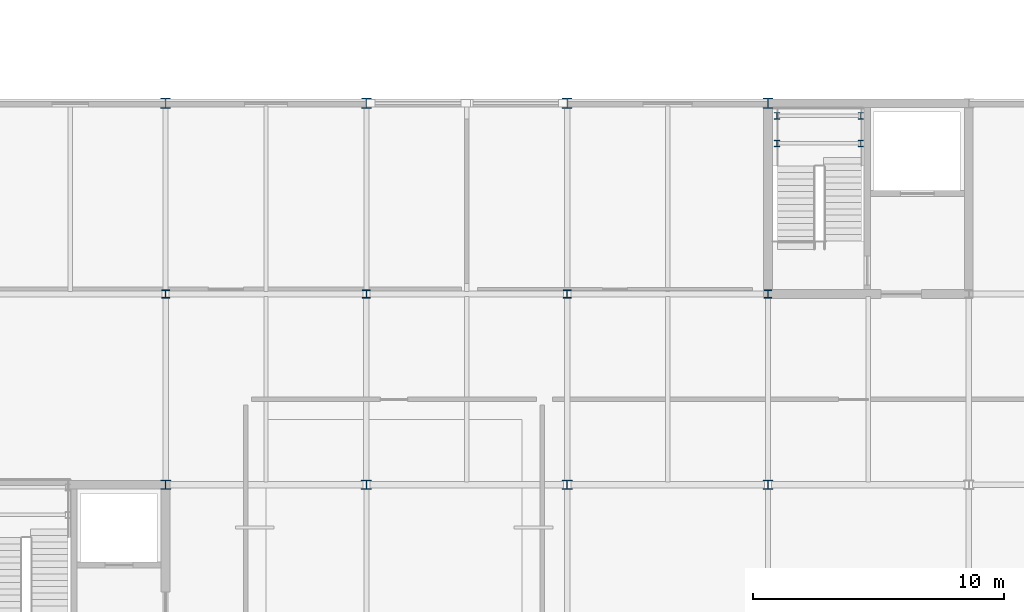
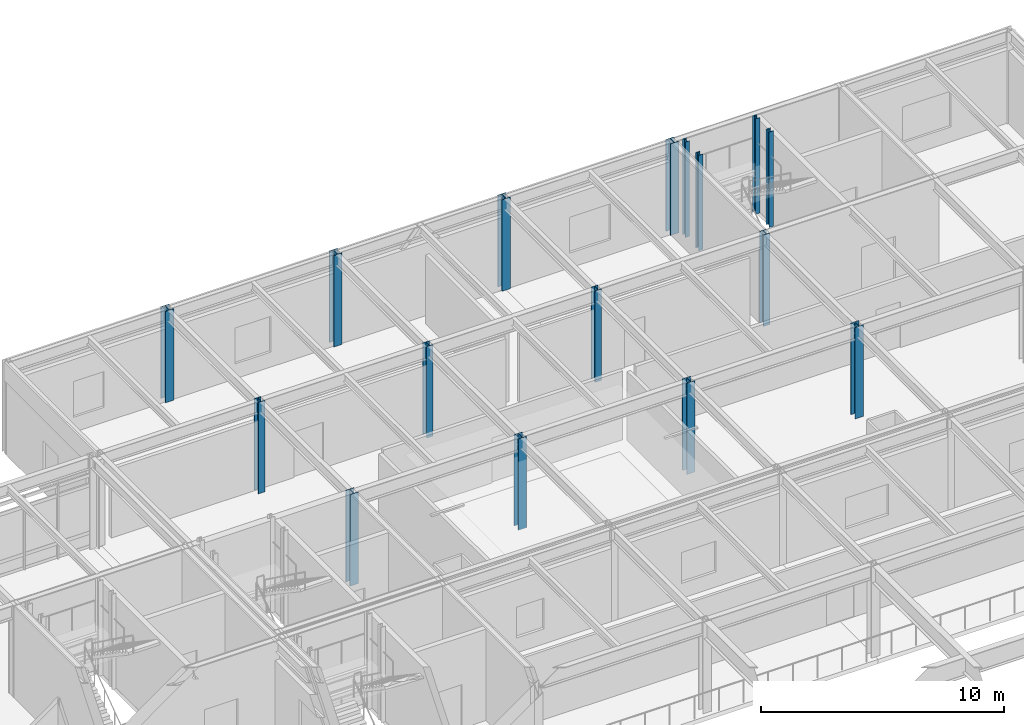
# One storey, part 19 of 104: 16 columns.
"""IFC4 building model written with IfcOpenShell, lengths in metres."""

import ifcopenshell
import ifcopenshell.guid

model = None  # the IFC model being written
_history = None  # IfcOwnerHistory: only IFC2X3 demands one
_inside = {}  # id of a spatial element -> (the spatial element, [elements in it])
_under = {}  # id of a project, library or spatial element -> (it, [spatial elements below it])
_declared = {}  # id of a project -> (the project, [libraries it declares])
_typed = {}  # id of a type object -> (the type object, [elements of that type])
_made_of = {}  # id of a material, layer set ... -> (it, [elements and type objects made of it])


def new_model(schema):
    """Start an empty IFC model of exactly this schema.

    Asked for "IFC4X3", IfcOpenShell would pick the latest addendum, in which some entities
    have other attributes; the version numbers below select the first issue.
    IFC2X3 requires an IfcOwnerHistory on every rooted entity: one is made here for all.
    """
    global model, _history
    if schema == "IFC4X3":
        model = ifcopenshell.file(schema_version=(4, 3, 0, 0))
    else:
        model = ifcopenshell.file(schema=schema)
    _inside.clear()
    _under.clear()
    _declared.clear()
    _typed.clear()
    _made_of.clear()
    _history = None
    if model.schema == "IFC2X3":
        org = make("IfcOrganization", Name="unknown")
        user = make(
            "IfcPersonAndOrganization",
            ThePerson=make("IfcPerson", FamilyName="unknown"),
            TheOrganization=org,
        )
        app = make(
            "IfcApplication",
            ApplicationDeveloper=org,
            Version="unknown",
            ApplicationFullName="unknown",
            ApplicationIdentifier="unknown",
        )
        _history = make(
            "IfcOwnerHistory",
            OwningUser=user,
            OwningApplication=app,
            ChangeAction="ADDED",
            CreationDate=0,
        )
    return model


def make(cls, **values):
    """One entity of the class cls with the attributes given. An attribute that is None is left unset."""
    return model.create_entity(
        cls, **{name: value for name, value in values.items() if value is not None}
    )


def rooted(cls, **values):
    """An entity with a GlobalId (a new one), such as an element, a storey or a relation."""
    return make(cls, GlobalId=ifcopenshell.guid.new(), OwnerHistory=_history, **values)


def si_unit(unit_type, name, prefix=None):
    """IfcSIUnit, for example si_unit("LENGTHUNIT", "METRE", prefix="MILLI")."""
    return make("IfcSIUnit", UnitType=unit_type, Prefix=prefix, Name=name)


def assignment(units):
    """IfcUnitAssignment: the units of a project."""
    return None if units is None else make("IfcUnitAssignment", Units=units)


def point(xyz):
    """IfcCartesianPoint."""
    return None if xyz is None else make("IfcCartesianPoint", Coordinates=xyz)


def direction(xyz):
    """IfcDirection."""
    return None if xyz is None else make("IfcDirection", DirectionRatios=xyz)


def frame(location, z_axis=None, x_axis=None):
    """IfcAxis2Placement3D, a coordinate frame: its origin and axes. An axis left out is left unset."""
    return make(
        "IfcAxis2Placement3D",
        Location=point(location),
        Axis=direction(z_axis),
        RefDirection=direction(x_axis),
    )


def frame_2d(location, x_axis=None):
    """IfcAxis2Placement2D, a coordinate frame in the plane: its origin and x axis."""
    return make(
        "IfcAxis2Placement2D", Location=point(location), RefDirection=direction(x_axis)
    )


def origin():
    """The frame at (0, 0, 0) with its axes left unset."""
    return frame((0.0, 0.0, 0.0))


def origin_2d():
    """The frame at (0, 0) in the plane with its x axis left unset."""
    return frame_2d((0.0, 0.0))


def place(relative_to, where):
    """IfcLocalPlacement: puts the frame where relative to a parent placement (None: the world)."""
    return make(
        "IfcLocalPlacement", PlacementRelTo=relative_to, RelativePlacement=where
    )


def context(
    kind, dimensions, precision=None, world=None, true_north=None, identifier=None
):
    """IfcGeometricRepresentationContext, for example the 3D "Model" context."""
    return make(
        "IfcGeometricRepresentationContext",
        ContextIdentifier=identifier,
        ContextType=kind,
        CoordinateSpaceDimension=dimensions,
        Precision=precision,
        WorldCoordinateSystem=world,
        TrueNorth=true_north,
    )


def subcontext(parent, identifier, kind, view, scale=None):
    """IfcGeometricRepresentationSubContext, for example "Body" below "Model"."""
    return make(
        "IfcGeometricRepresentationSubContext",
        ContextIdentifier=identifier,
        ContextType=kind,
        ParentContext=parent,
        TargetScale=scale,
        TargetView=view,
    )


def project(units=None, contexts=None):
    """IfcProject with its units and contexts."""
    return rooted(
        "IfcProject",
        Name="project",
        RepresentationContexts=contexts,
        UnitsInContext=assignment(units),
    )


def spatial(cls, under=None, at=None, **own):
    """A site, building, storey or space (cls), placed at a placement, below another one or the project."""
    s = rooted(cls, ObjectPlacement=at, **own)
    if under is not None:
        _under.setdefault(under.id(), (under, []))[1].append(s)
    return s


def profile(cls, at=None, kind="AREA", **sizes):
    """A parametric profile (cls). Its sizes go by their IFC names, for example OverallWidth=200.0."""
    return make(cls, ProfileType=kind, Position=at, **sizes)


def i_section(**sizes):
    """IfcIShapeProfileDef."""
    return profile("IfcIShapeProfileDef", **sizes)


def extrude(swept, where, along, depth):
    """IfcExtrudedAreaSolid: the profile swept, set in the frame where, extruded along a direction by depth."""
    return make(
        "IfcExtrudedAreaSolid",
        SweptArea=swept,
        Position=where,
        ExtrudedDirection=direction(along),
        Depth=depth,
    )


def shape(context_of_items, identifier, shape_type, items):
    """IfcShapeRepresentation: the items that make up one representation, for example the "Body"."""
    return make(
        "IfcShapeRepresentation",
        ContextOfItems=context_of_items,
        RepresentationIdentifier=identifier,
        RepresentationType=shape_type,
        Items=items,
    )


def material(Name=None, Category=None):
    """IfcMaterial."""
    return make("IfcMaterial", Name=Name, Category=Category)


def material_profile(
    of_material, cross_section, Name=None, Category=None, Priority=None
):
    """IfcMaterialProfile: a cross section and its material."""
    return make(
        "IfcMaterialProfile",
        Name=Name,
        Material=of_material,
        Profile=cross_section,
        Priority=Priority,
        Category=Category,
    )


def profile_set(profiles, Name=None, composite=None):
    """IfcMaterialProfileSet."""
    return make(
        "IfcMaterialProfileSet",
        Name=Name,
        MaterialProfiles=profiles,
        CompositeProfile=composite,
    )


def made_of(thing, what):
    """Note that an element or type object is made of a material, layer set ...; save() writes the relation."""
    if what is not None:
        _made_of.setdefault(what.id(), (what, []))[1].append(thing)
    return thing


def type_object(cls, material=None, **own):
    """A type object (cls), such as IfcWallType, which elements share."""
    return made_of(rooted(cls, **own), material)


def element(
    cls,
    number,
    at=None,
    inside=None,
    cuts=None,
    type_object=None,
    material=None,
    context=None,
    identifier="Body",
    shape_type=None,
    held_by="IfcProductDefinitionShape",
    body=None,
    shapes=None,
    **own,
):
    """One element of the class cls, such as IfcWall. Its Tag is "e" and its number.

    at: its placement. inside: the storey or other place that contains it. cuts: it is an
    opening in that element (IfcRelVoidsElement). A single representation is given by context,
    identifier, shape_type and body (its items); several are given by shapes. held_by: the class
    of the entity that holds the representations. save() writes the other relations.
    """
    e = rooted(cls, Tag="e%d" % number, ObjectPlacement=at, **own)
    if body is not None:
        shapes = [shape(context, identifier, shape_type, body)]
    if shapes is not None:
        e.Representation = make(held_by, Representations=shapes)
    if inside is not None:
        _inside.setdefault(inside.id(), (inside, []))[1].append(e)
    if cuts is not None:
        rooted(
            "IfcRelVoidsElement", RelatingBuildingElement=cuts, RelatedOpeningElement=e
        )
    if type_object is not None:
        _typed.setdefault(type_object.id(), (type_object, []))[1].append(e)
    return made_of(e, material)


def aggregate(whole, parts):
    """IfcRelAggregates: a whole, such as a stair, and the parts it consists of."""
    return rooted("IfcRelAggregates", RelatingObject=whole, RelatedObjects=parts)


def save(model, path):
    """Write the relations noted so far, then the file.

    IfcRelAggregates (storeys below a building ...), IfcRelContainedInSpatialStructure (elements
    in a storey), IfcRelDefinesByType, IfcRelAssociatesMaterial and IfcRelDeclares: one each for
    every whole, place, type object, material and project.
    """
    for whole, parts in _under.values():
        aggregate(whole, parts)
    for where, things in _inside.values():
        rooted(
            "IfcRelContainedInSpatialStructure",
            RelatedElements=things,
            RelatingStructure=where,
        )
    for kind, things in _typed.values():
        rooted("IfcRelDefinesByType", RelatedObjects=things, RelatingType=kind)
    for what, things in _made_of.values():
        rooted("IfcRelAssociatesMaterial", RelatedObjects=things, RelatingMaterial=what)
    for by, libraries in _declared.values():
        rooted("IfcRelDeclares", RelatingContext=by, RelatedDefinitions=libraries)
    model.write(path)


model = new_model("IFC4")

# Units and contexts
model_context = context("Model", 3, precision=1e-05, world=origin(), true_north=direction((0.0, 1.0)))
body_context = subcontext(model_context, "Body", "Model", "MODEL_VIEW")
ifc_project = project(units=[si_unit("LENGTHUNIT", "METRE"), si_unit("AREAUNIT", "SQUARE_METRE"), si_unit("VOLUMEUNIT", "CUBIC_METRE"), si_unit("PLANEANGLEUNIT", "RADIAN"), si_unit("MASSUNIT", "GRAM", prefix="KILO")], contexts=[model_context])

# Site, building, storey
site_placement = place(None, origin())
site = spatial("IfcSite", under=ifc_project, at=site_placement, CompositionType="ELEMENT")
building_placement = place(site_placement, origin())
building = spatial("IfcBuilding", under=site, at=building_placement, Name="Zulena Civic Courthouse", CompositionType="ELEMENT")
storey_placement = place(building_placement, frame((0.0, 0.0, 10.800048828125)))
storey = spatial("IfcBuildingStorey", under=building, at=storey_placement, Name="L02", CompositionType="ELEMENT", Elevation=10.800048828125)

# Columns
ifc_material = material(Name="Steel ASTM A992 Grade 50", Category="steel")
ifc_material_profile_1 = material_profile(ifc_material, i_section(OverallWidth=0.2041015625, OverallDepth=0.257080078125, WebThickness=0.0087890625, FlangeThickness=0.015625, FilletRadius=0.0126953125, at=origin_2d()), Name="W10X45")
ifc_profile_set_1 = profile_set([ifc_material_profile_1], Name="Steel ASTM A992 Grade 50")
column_type_1 = type_object("IfcColumnType", Name="Col_W10X45", PredefinedType="COLUMN", material=ifc_profile_set_1)
for number, where, z_axis, x_axis, name in (
    (1, (156.360107421875, 51.60009765625, 0.0), (0.0, 0.0, 1.0), (1.0, 0.0, 0.0), "col:lnd:K3B:L02:0:0"),
    (2, (159.699951171875, 51.60009765625, 0.0), (0.0, 0.0, 1.0), (1.0, 0.0, 0.0), "col:lnd:K3B:L02:0:1"),
    (3, (156.360107421875, 52.699951171875, 0.0), (0.0, 0.0, 1.0), (1.0, 0.0, 0.0), "col:lnd:K3B:L02:1:0"),
    (4, (159.699951171875, 52.699951171875, 0.0), (0.0, 0.0, 1.0), (1.0, 0.0, 0.0), "col:lnd:K3B:L02:1:1"),
):
    element("IfcColumn", number, at=place(storey_placement, frame(where, z_axis=z_axis, x_axis=x_axis)), inside=storey, type_object=column_type_1, Name=name, PredefinedType="COLUMN", context=body_context, shape_type="SweptSolid", body=[
        extrude(i_section(OverallWidth=0.2041015625, OverallDepth=0.257080078125, WebThickness=0.0087890625, FlangeThickness=0.015625, FilletRadius=0.0126953125, at=origin_2d()), origin(), (0.0, 0.0, 1.0), 4.794921875),
    ])
ifc_material_profile_2 = material_profile(ifc_material, i_section(OverallWidth=0.31298828125, OverallDepth=0.3330078125, WebThickness=0.01806640625, FlangeThickness=0.0283203125, FilletRadius=0.01513671875, at=origin_2d()), Name="W12X120")
ifc_profile_set_2 = profile_set([ifc_material_profile_2], Name="Steel ASTM A992 Grade 50")
column_type_2 = type_object("IfcColumnType", Name="Col_W12X120", PredefinedType="COLUMN", material=ifc_profile_set_2)
for number, where, z_axis, x_axis, name in (
    (5, (132.0, 45.60009765625, 0.0), (0.0, 0.0, 1.0), (1.0, 0.0, 0.0), "col:V3:L02:132.0:45.6"),
    (6, (140.0, 45.60009765625, 0.0), (0.0, 0.0, 1.0), (1.0, 0.0, 0.0), "col:V3:L02:140.0:45.6"),
    (7, (148.0, 45.60009765625, 0.0), (0.0, 0.0, 1.0), (1.0, 0.0, 0.0), "col:V3:L02:148.0:45.6"),
    (8, (156.0, 45.60009765625, 0.0), (0.0, 0.0, 1.0), (1.0, 0.0, 0.0), "col:V3:L02:156.0:45.6"),
):
    element("IfcColumn", number, at=place(storey_placement, frame(where, z_axis=z_axis, x_axis=x_axis)), inside=storey, type_object=column_type_2, Name=name, PredefinedType="COLUMN", context=body_context, shape_type="SweptSolid", body=[
        extrude(i_section(OverallWidth=0.31298828125, OverallDepth=0.3330078125, WebThickness=0.01806640625, FlangeThickness=0.0283203125, FilletRadius=0.01513671875, at=origin_2d()), origin(), (0.0, 0.0, 1.0), 4.58984375),
    ])
ifc_material_profile_3 = material_profile(ifc_material, i_section(OverallWidth=0.39404296875, OverallDepth=0.3759765625, WebThickness=0.017333984375, FlangeThickness=0.027587890625, FilletRadius=0.01513671875, at=origin_2d()), Name="W14X145")
ifc_profile_set_3 = profile_set([ifc_material_profile_3], Name="Steel ASTM A992 Grade 50")
column_type_3 = type_object("IfcColumnType", Name="Col_W14X145", PredefinedType="COLUMN", material=ifc_profile_set_3)
for number, where, z_axis, x_axis, name in (
    (9, (132.0, 38.0, 0.0), (0.0, 0.0, 1.0), (1.0, 0.0, 0.0), "col:V3:L02:132.0:38.0"),
    (10, (140.0, 38.0, 0.0), (0.0, 0.0, 1.0), (1.0, 0.0, 0.0), "col:V3:L02:140.0:38.0"),
    (11, (148.0, 38.0, 0.0), (0.0, 0.0, 1.0), (1.0, 0.0, 0.0), "col:V3:L02:148.0:38.0"),
    (12, (156.0, 38.0, 0.0), (0.0, 0.0, 1.0), (1.0, 0.0, 0.0), "col:V3:L02:156.0:38.0"),
):
    element("IfcColumn", number, at=place(storey_placement, frame(where, z_axis=z_axis, x_axis=x_axis)), inside=storey, type_object=column_type_3, Name=name, PredefinedType="COLUMN", context=body_context, shape_type="SweptSolid", body=[
        extrude(i_section(OverallWidth=0.39404296875, OverallDepth=0.3759765625, WebThickness=0.017333984375, FlangeThickness=0.027587890625, FilletRadius=0.01513671875, at=origin_2d()), origin(), (0.0, 0.0, 1.0), 4.58984375),
    ])
ifc_material_profile_4 = material_profile(ifc_material, i_section(OverallWidth=0.40087890625, OverallDepth=0.39892578125, WebThickness=0.02490234375, FlangeThickness=0.03955078125, FilletRadius=0.01513671875, at=origin_2d()), Name="W14X211")
ifc_profile_set_4 = profile_set([ifc_material_profile_4], Name="Steel ASTM A992 Grade 50")
column_type_4 = type_object("IfcColumnType", Name="Col_W14X211", PredefinedType="COLUMN", material=ifc_profile_set_4)
for number, where, z_axis, x_axis, name in (
    (13, (132.0, 53.199951171875, 0.0), (0.0, 0.0, 1.0), (1.0, 0.0, 0.0), "col:V3:L02:132.0:53.2"),
    (14, (140.0, 53.199951171875, 0.0), (0.0, 0.0, 1.0), (1.0, 0.0, 0.0), "col:V3:L02:140.0:53.2"),
    (15, (148.0, 53.199951171875, 0.0), (0.0, 0.0, 1.0), (1.0, 0.0, 0.0), "col:V3:L02:148.0:53.2"),
    (16, (156.0, 53.199951171875, 0.0), (0.0, 0.0, 1.0), (1.0, 0.0, 0.0), "col:V3:L02:156.0:53.2"),
):
    element("IfcColumn", number, at=place(storey_placement, frame(where, z_axis=z_axis, x_axis=x_axis)), inside=storey, type_object=column_type_4, Name=name, PredefinedType="COLUMN", context=body_context, shape_type="SweptSolid", body=[
        extrude(i_section(OverallWidth=0.40087890625, OverallDepth=0.39892578125, WebThickness=0.02490234375, FlangeThickness=0.03955078125, FilletRadius=0.01513671875, at=origin_2d()), origin(), (0.0, 0.0, 1.0), 4.58984375),
    ])

save(model, "model.ifc")
